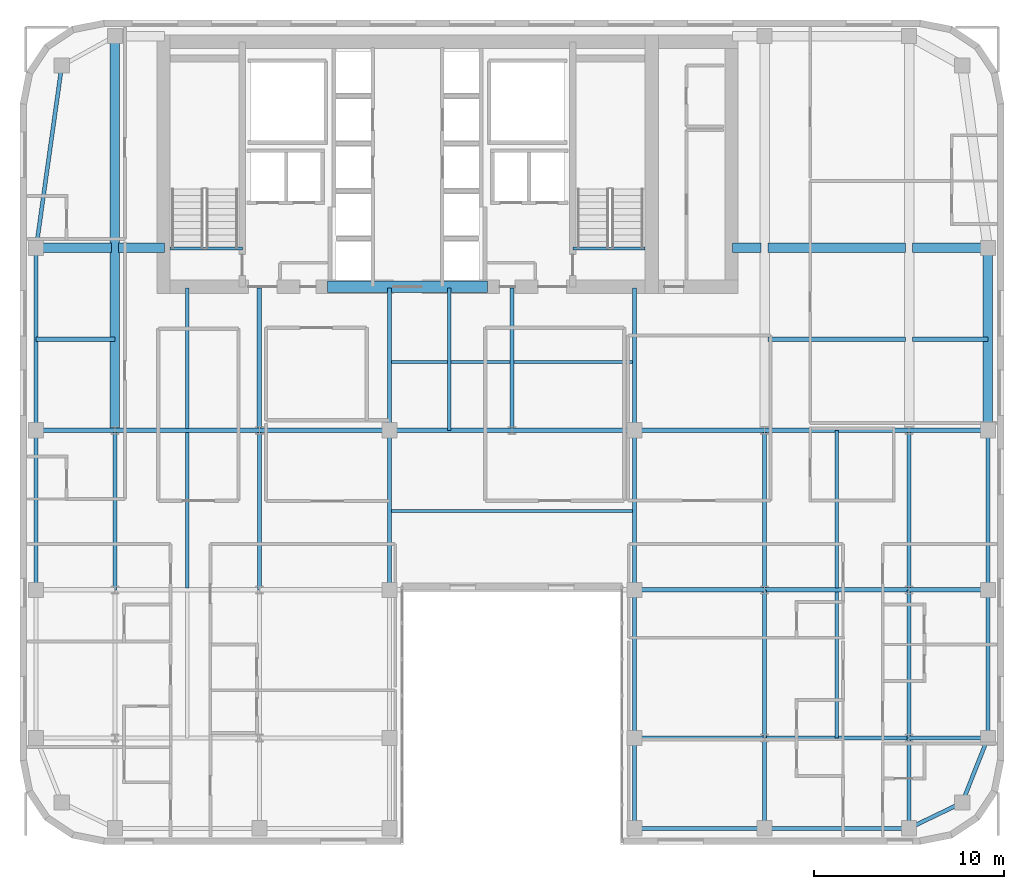
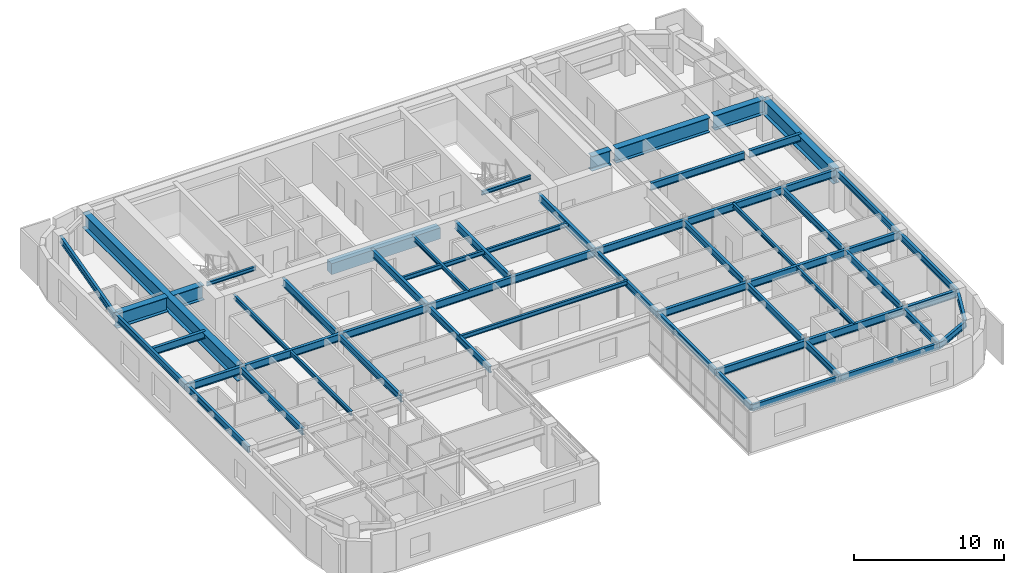
# One storey, part 5 of 14: 59 beams.
"""IFC4 building model written with IfcOpenShell, lengths in metres."""

from ifc_helpers import new_model, si_unit, direction, frame, origin, origin_2d, place, context, subcontext, project, spatial, rectangle, i_section, extrude, source, transform, mapped, material, material_profile, profile_set, type_object, type_shapes, element, save


model = new_model("IFC4")

# Units and contexts
model_context = context("Model", 3, precision=1e-05, world=origin(), true_north=direction((0.0, 1.0)))
body_context = subcontext(model_context, "Body", "Model", "MODEL_VIEW")
ifc_project = project(units=[si_unit("LENGTHUNIT", "METRE"), si_unit("AREAUNIT", "SQUARE_METRE"), si_unit("VOLUMEUNIT", "CUBIC_METRE"), si_unit("PLANEANGLEUNIT", "RADIAN"), si_unit("MASSUNIT", "GRAM", prefix="KILO")], contexts=[model_context])

# Site, building, storey
site_placement = place(None, origin())
site = spatial("IfcSite", under=ifc_project, at=site_placement, CompositionType="ELEMENT")
building_placement = place(site_placement, origin())
building = spatial("IfcBuilding", under=site, at=building_placement, Name="Tolvann Quenvar Hotel", CompositionType="ELEMENT")
storey_placement = place(building_placement, frame((0.0, 0.0, 179.0)))
storey = spatial("IfcBuildingStorey", under=building, at=storey_placement, Name="L47", CompositionType="ELEMENT", Elevation=179.0)

# Beams
ifc_material_1 = material(Name="Concrete N50 (50 MPa)", Category="concrete")
ifc_material_profile_1 = material_profile(ifc_material_1, rectangle(XDim=0.60009765625, YDim=0.89990234375, at=origin_2d()), Name="RC600x900")
ifc_profile_set_1 = profile_set([ifc_material_profile_1], Name="Concrete N50 (50 MPa)")
beam_type_1 = type_object("IfcBeamType", Name="BM_LINT_RC600x900", PredefinedType="LINTEL", material=ifc_profile_set_1)
shared_shape_1 = source(origin(), body_context, "Body", "SweptSolid", [
    extrude(rectangle(XDim=0.60009765625, YDim=0.89990234375, at=origin_2d()), origin(), (0.0, 0.0, 1.0), 8.39990234375),
])
type_shapes(beam_type_1, [shared_shape_1])
beam_1_placement = place(storey_placement, frame((18.800048828125, 31.949951171875, 2.800048828125), z_axis=(1.0, 0.0, 0.0), x_axis=(0.0, 1.0, 0.0)))
element("IfcBeam", 1, at=beam_1_placement, inside=storey, type_object=beam_type_1, Name="Core Coupling Lintel Beam (L47)", PredefinedType="LINTEL", context=body_context, shape_type="MappedRepresentation", body=[
    mapped(shared_shape_1, transform((0.0, 0.0, 0.0), x_axis=(1.0, 0.0, 0.0), y_axis=(0.0, 1.0, 0.0), z_axis=(0.0, 0.0, 1.0), scale=1.0)),
])
ifc_material_2 = material(Name="Steel Grade 350", Category="steel")
ifc_material_profile_2 = material_profile(ifc_material_2, i_section(OverallWidth=0.5, OverallDepth=1.199951171875, WebThickness=0.01611328125, FlangeThickness=0.0400390625, at=origin_2d()), Name="1200WB455")
ifc_profile_set_2 = profile_set([ifc_material_profile_2], Name="Steel Grade 350")
beam_type_2 = type_object("IfcBeamType", Name="BM_TG_1200WB455", PredefinedType="USERDEFINED", material=ifc_profile_set_2)
shared_shape_2 = source(origin(), body_context, "Body", "SweptSolid", [
    extrude(i_section(OverallWidth=0.5, OverallDepth=1.199951171875, WebThickness=0.01611328125, FlangeThickness=0.0400390625, at=origin_2d()), origin(), (0.0, 0.0, 1.0), 9.60009765625),
])
beam_2_placement = place(storey_placement, frame((53.550048828125, 24.39990234375, 2.64990234375), z_axis=(0.0, 1.0, 0.0), x_axis=(-1.0, 0.0, 0.0)))
element("IfcBeam", 2, at=beam_2_placement, inside=storey, type_object=beam_type_2, Name="BM-L47-FLK-E1", ObjectType="TRANSFER GIRDER", PredefinedType="USERDEFINED", context=body_context, shape_type="MappedRepresentation", body=[
    mapped(shared_shape_2, transform((0.0, 0.0, 0.0), x_axis=(1.0, 0.0, 0.0), y_axis=(0.0, 1.0, 0.0), z_axis=(0.0, 0.0, 1.0), scale=1.0)),
])
ifc_material_profile_3 = material_profile(ifc_material_2, i_section(OverallWidth=0.208984375, OverallDepth=0.528076171875, WebThickness=0.009521484375, FlangeThickness=0.01318359375, FilletRadius=0.013916015625, at=origin_2d()), Name="530UB82")
ifc_profile_set_3 = profile_set([ifc_material_profile_3], Name="Steel Grade 350")
beam_type_3 = type_object("IfcBeamType", Name="BM_SPAND_530UB82", PredefinedType="SPANDREL", material=ifc_profile_set_3)
shared_shape_3 = source(origin(), body_context, "Body", "SweptSolid", [
    extrude(i_section(OverallWidth=0.208984375, OverallDepth=0.528076171875, WebThickness=0.009521484375, FlangeThickness=0.01318359375, FilletRadius=0.013916015625, at=origin_2d()), origin(), (0.0, 0.0, 1.0), 7.599853515625),
])
beam_3_placement = place(storey_placement, frame((41.800048828125, 3.449951171875, 2.986083984375), z_axis=(1.0, 0.0, 0.0), x_axis=(0.0, 1.0, 0.0)))
element("IfcBeam", 3, at=beam_3_placement, inside=storey, type_object=beam_type_3, Name="BM-L47-EW-2-H2-I2", PredefinedType="SPANDREL", context=body_context, shape_type="MappedRepresentation", body=[
    mapped(shared_shape_3, transform((0.0, 0.0, 0.0), x_axis=(1.0, 0.0, 0.0), y_axis=(0.0, 1.0, 0.0), z_axis=(0.0, 0.0, 1.0), scale=1.0)),
])
shared_shape_4 = source(origin(), body_context, "Body", "SweptSolid", [
    extrude(i_section(OverallWidth=0.208984375, OverallDepth=0.528076171875, WebThickness=0.009521484375, FlangeThickness=0.01318359375, FilletRadius=0.013916015625, at=origin_2d()), origin(), (0.0, 0.0, 1.0), 6.85009765625),
])
beam_4_placement = place(storey_placement, frame((34.949951171875, 3.449951171875, 2.986083984375), z_axis=(1.0, 0.0, 0.0), x_axis=(0.0, 1.0, 0.0)))
element("IfcBeam", 4, at=beam_4_placement, inside=storey, type_object=beam_type_3, Name="BM-L47-EW-2-F2-H2", PredefinedType="SPANDREL", context=body_context, shape_type="MappedRepresentation", body=[
    mapped(shared_shape_4, transform((0.0, 0.0, 0.0), x_axis=(1.0, 0.0, 0.0), y_axis=(0.0, 1.0, 0.0), z_axis=(0.0, 0.0, 1.0), scale=1.0)),
])
shared_shape_5 = source(origin(), body_context, "Body", "SweptSolid", [
    extrude(i_section(OverallWidth=0.208984375, OverallDepth=0.528076171875, WebThickness=0.009521484375, FlangeThickness=0.01318359375, FilletRadius=0.013916015625, at=origin_2d()), origin(), (0.0, 0.0, 1.0), 7.800048828125),
])
beam_5_placement = place(storey_placement, frame((53.550048828125, 8.199951171875, 2.986083984375), z_axis=(0.0, 1.0, 0.0), x_axis=(-1.0, 0.0, 0.0)))
element("IfcBeam", 5, at=beam_5_placement, inside=storey, type_object=beam_type_3, Name="BM-L47-NS-J3-J4", PredefinedType="SPANDREL", context=body_context, shape_type="MappedRepresentation", body=[
    mapped(shared_shape_5, transform((0.0, 0.0, 0.0), x_axis=(1.0, 0.0, 0.0), y_axis=(0.0, 1.0, 0.0), z_axis=(0.0, 0.0, 1.0), scale=1.0)),
])
shared_shape_6 = source(origin(), body_context, "Body", "SweptSolid", [
    extrude(i_section(OverallWidth=0.208984375, OverallDepth=0.528076171875, WebThickness=0.009521484375, FlangeThickness=0.01318359375, FilletRadius=0.013916015625, at=origin_2d()), origin(), (0.0, 0.0, 1.0), 8.39990234375),
])
for number, where, z_axis, x_axis, name in (
    (6, (3.449951171875, 16.0, 2.986083984375), (0.0, 1.0, 0.0), (-1.0, 0.0, 0.0), "BM-L47-NS-B4-B5"),
    (7, (53.550048828125, 16.0, 2.986083984375), (0.0, 1.0, 0.0), (-1.0, 0.0, 0.0), "BM-L47-NS-J4-J5"),
):
    element("IfcBeam", number, at=place(storey_placement, frame(where, z_axis=z_axis, x_axis=x_axis)), inside=storey, type_object=beam_type_3, Name=name, PredefinedType="SPANDREL", context=body_context, shape_type="MappedRepresentation", body=[
        mapped(shared_shape_6, transform((0.0, 0.0, 0.0), x_axis=(1.0, 0.0, 0.0), y_axis=(0.0, 1.0, 0.0), z_axis=(0.0, 0.0, 1.0), scale=1.0)),
    ])
ifc_material_profile_4 = material_profile(ifc_material_2, i_section(OverallWidth=0.208984375, OverallDepth=0.532958984375, WebThickness=0.01025390625, FlangeThickness=0.015625, FilletRadius=0.013916015625, at=origin_2d()), Name="530UB92")
ifc_profile_set_4 = profile_set([ifc_material_profile_4], Name="Steel Grade 350")
beam_type_4 = type_object("IfcBeamType", Name="BM_GIRD_530UB92", PredefinedType="BEAM", material=ifc_profile_set_4)
shared_shape_7 = source(origin(), body_context, "Body", "SweptSolid", [
    extrude(i_section(OverallWidth=0.208984375, OverallDepth=0.532958984375, WebThickness=0.01025390625, FlangeThickness=0.015625, FilletRadius=0.013916015625, at=origin_2d()), origin(), (0.0, 0.0, 1.0), 7.800048828125),
])
for number, where, z_axis, x_axis, name in (
    (8, (34.949951171875, 8.199951171875, 2.9833984375), (0.0, 1.0, 0.0), (-1.0, 0.0, 0.0), "BM-L47-NS-F3-F4"),
    (9, (41.800048828125, 8.199951171875, 2.9833984375), (0.0, 1.0, 0.0), (-1.0, 0.0, 0.0), "BM-L47-NS-H3-H4"),
    (10, (49.39990234375, 8.199951171875, 2.9833984375), (0.0, 1.0, 0.0), (-1.0, 0.0, 0.0), "BM-L47-NS-I3-I4"),
):
    element("IfcBeam", number, at=place(storey_placement, frame(where, z_axis=z_axis, x_axis=x_axis)), inside=storey, type_object=beam_type_4, Name=name, PredefinedType="BEAM", context=body_context, shape_type="MappedRepresentation", body=[
        mapped(shared_shape_7, transform((0.0, 0.0, 0.0), x_axis=(1.0, 0.0, 0.0), y_axis=(0.0, 1.0, 0.0), z_axis=(0.0, 0.0, 1.0), scale=1.0)),
    ])
shared_shape_8 = source(origin(), body_context, "Body", "SweptSolid", [
    extrude(i_section(OverallWidth=0.208984375, OverallDepth=0.532958984375, WebThickness=0.01025390625, FlangeThickness=0.015625, FilletRadius=0.013916015625, at=origin_2d()), origin(), (0.0, 0.0, 1.0), 8.39990234375),
])
for number, where, z_axis, x_axis, name in (
    (11, (7.60009765625, 16.0, 2.9833984375), (0.0, 1.0, 0.0), (-1.0, 0.0, 0.0), "BM-L47-NS-C4-C5"),
    (12, (15.199951171875, 16.0, 2.9833984375), (0.0, 1.0, 0.0), (-1.0, 0.0, 0.0), "BM-L47-NS-D4-D5"),
    (13, (22.050048828125, 16.0, 2.9833984375), (0.0, 1.0, 0.0), (-1.0, 0.0, 0.0), "BM-L47-NS-E4-E5"),
    (14, (34.949951171875, 16.0, 2.9833984375), (0.0, 1.0, 0.0), (-1.0, 0.0, 0.0), "BM-L47-NS-F4-F5"),
    (15, (41.800048828125, 16.0, 2.9833984375), (0.0, 1.0, 0.0), (-1.0, 0.0, 0.0), "BM-L47-NS-H4-H5"),
    (16, (49.39990234375, 16.0, 2.9833984375), (0.0, 1.0, 0.0), (-1.0, 0.0, 0.0), "BM-L47-NS-I4-I5"),
):
    element("IfcBeam", number, at=place(storey_placement, frame(where, z_axis=z_axis, x_axis=x_axis)), inside=storey, type_object=beam_type_4, Name=name, PredefinedType="BEAM", context=body_context, shape_type="MappedRepresentation", body=[
        mapped(shared_shape_8, transform((0.0, 0.0, 0.0), x_axis=(1.0, 0.0, 0.0), y_axis=(0.0, 1.0, 0.0), z_axis=(0.0, 0.0, 1.0), scale=1.0)),
    ])
shared_shape_9 = source(origin(), body_context, "Body", "SweptSolid", [
    extrude(i_section(OverallWidth=0.208984375, OverallDepth=0.528076171875, WebThickness=0.009521484375, FlangeThickness=0.01318359375, FilletRadius=0.013916015625, at=origin_2d()), origin(), (0.0, 0.0, 1.0), 9.60009765625),
])
beam_6_placement = place(storey_placement, frame((3.449951171875, 24.39990234375, 2.986083984375), z_axis=(0.0, 1.0, 0.0), x_axis=(-1.0, 0.0, 0.0)))
element("IfcBeam", 17, at=beam_6_placement, inside=storey, type_object=beam_type_3, Name="BM-L47-FLK-W1", PredefinedType="SPANDREL", context=body_context, shape_type="MappedRepresentation", body=[
    mapped(shared_shape_9, transform((0.0, 0.0, 0.0), x_axis=(1.0, 0.0, 0.0), y_axis=(0.0, 1.0, 0.0), z_axis=(0.0, 0.0, 1.0), scale=1.0)),
])
shared_shape_10 = source(origin(), body_context, "Body", "SweptSolid", [
    extrude(i_section(OverallWidth=0.5, OverallDepth=1.199951171875, WebThickness=0.01611328125, FlangeThickness=0.0400390625, at=origin_2d()), origin(), (0.0, 0.0, 1.0), 20.75),
])
beam_7_placement = place(storey_placement, frame((7.60009765625, 24.39990234375, 2.64990234375), z_axis=(0.0, 1.0, 0.0), x_axis=(-1.0, 0.0, 0.0)))
element("IfcBeam", 18, at=beam_7_placement, inside=storey, type_object=beam_type_2, Name="BM-L47-FLK-WC", ObjectType="TRANSFER GIRDER", PredefinedType="USERDEFINED", context=body_context, shape_type="MappedRepresentation", body=[
    mapped(shared_shape_10, transform((0.0, 0.0, 0.0), x_axis=(1.0, 0.0, 0.0), y_axis=(0.0, 1.0, 0.0), z_axis=(0.0, 0.0, 1.0), scale=1.0)),
])
shared_shape_11 = source(origin(), body_context, "Body", "SweptSolid", [
    extrude(i_section(OverallWidth=0.5, OverallDepth=1.199951171875, WebThickness=0.01611328125, FlangeThickness=0.0400390625, at=origin_2d()), origin(), (0.0, 0.0, 1.0), 2.419921875),
])
beam_8_placement = place(storey_placement, frame((7.780029296875, 34.0, 2.64990234375), z_axis=(1.0, 0.0, 0.0), x_axis=(0.0, 1.0, 0.0)))
element("IfcBeam", 19, at=beam_8_placement, inside=storey, type_object=beam_type_2, Name="BM-L47-CTW-MID2", ObjectType="TRANSFER GIRDER", PredefinedType="USERDEFINED", context=body_context, shape_type="MappedRepresentation", body=[
    mapped(shared_shape_11, transform((0.0, 0.0, 0.0), x_axis=(1.0, 0.0, 0.0), y_axis=(0.0, 1.0, 0.0), z_axis=(0.0, 0.0, 1.0), scale=1.0)),
])
shared_shape_12 = source(origin(), body_context, "Body", "SweptSolid", [
    extrude(i_section(OverallWidth=0.5, OverallDepth=1.199951171875, WebThickness=0.01611328125, FlangeThickness=0.0400390625, at=origin_2d()), origin(), (0.0, 0.0, 1.0), 1.52001953125),
])
beam_9_placement = place(storey_placement, frame((40.10009765625, 34.0, 2.64990234375), z_axis=(1.0, 0.0, 0.0), x_axis=(0.0, 1.0, 0.0)))
element("IfcBeam", 20, at=beam_9_placement, inside=storey, type_object=beam_type_2, Name="BM-L47-CTE-JD6A", ObjectType="TRANSFER GIRDER", PredefinedType="USERDEFINED", context=body_context, shape_type="MappedRepresentation", body=[
    mapped(shared_shape_12, transform((0.0, 0.0, 0.0), x_axis=(1.0, 0.0, 0.0), y_axis=(0.0, 1.0, 0.0), z_axis=(0.0, 0.0, 1.0), scale=1.0)),
])
shared_shape_13 = source(origin(), body_context, "Body", "SweptSolid", [
    extrude(i_section(OverallWidth=0.5, OverallDepth=1.199951171875, WebThickness=0.01611328125, FlangeThickness=0.0400390625, at=origin_2d()), origin(), (0.0, 0.0, 1.0), 7.239990234375),
])
beam_10_placement = place(storey_placement, frame((41.97998046875, 34.0, 2.64990234375), z_axis=(1.0, 0.0, 0.0), x_axis=(0.0, 1.0, 0.0)))
element("IfcBeam", 21, at=beam_10_placement, inside=storey, type_object=beam_type_2, Name="BM-L47-CTE-JD6B", ObjectType="TRANSFER GIRDER", PredefinedType="USERDEFINED", context=body_context, shape_type="MappedRepresentation", body=[
    mapped(shared_shape_13, transform((0.0, 0.0, 0.0), x_axis=(1.0, 0.0, 0.0), y_axis=(0.0, 1.0, 0.0), z_axis=(0.0, 0.0, 1.0), scale=1.0)),
])
ifc_material_profile_5 = material_profile(ifc_material_2, i_section(OverallWidth=0.166015625, OverallDepth=0.306884765625, WebThickness=0.006591796875, FlangeThickness=0.01171875, FilletRadius=0.011474609375, at=origin_2d()), Name="310UB46")
ifc_profile_set_5 = profile_set([ifc_material_profile_5], Name="Steel Grade 350")
beam_type_5 = type_object("IfcBeamType", Name="BM_JOIST_310UB46", PredefinedType="JOIST", material=ifc_profile_set_5)
shared_shape_14 = source(origin(), body_context, "Body", "SweptSolid", [
    extrude(i_section(OverallWidth=0.166015625, OverallDepth=0.306884765625, WebThickness=0.006591796875, FlangeThickness=0.01171875, FilletRadius=0.011474609375, at=origin_2d()), origin(), (0.0, 0.0, 1.0), 3.800048828125),
])
type_shapes(beam_type_5, [shared_shape_14])
for number, where, z_axis, x_axis, name in (
    (22, (10.5, 33.97998046875, 3.096435546875), (1.0, 0.0, 0.0), (0.0, 1.0, 0.0), "BM-HDR-STC1-L48"),
    (23, (31.699951171875, 33.97998046875, 3.096435546875), (1.0, 0.0, 0.0), (0.0, 1.0, 0.0), "BM-HDR-STC2-L48"),
):
    element("IfcBeam", number, at=place(storey_placement, frame(where, z_axis=z_axis, x_axis=x_axis)), inside=storey, type_object=beam_type_5, Name=name, PredefinedType="JOIST", context=body_context, shape_type="MappedRepresentation", body=[
        mapped(shared_shape_14, transform((0.0, 0.0, 0.0), x_axis=(1.0, 0.0, 0.0), y_axis=(0.0, 1.0, 0.0), z_axis=(0.0, 0.0, 1.0), scale=1.0)),
    ])
shared_shape_15 = source(origin(), body_context, "Body", "SweptSolid", [
    extrude(i_section(OverallWidth=0.208984375, OverallDepth=0.528076171875, WebThickness=0.009521484375, FlangeThickness=0.01318359375, FilletRadius=0.013916015625, at=origin_2d()), origin(), (0.0, 0.0, 1.0), 9.694580078125),
])
beam_11_placement = place(storey_placement, frame((3.449951171875, 34.0, 2.986083984375), z_axis=(0.139263320262, 0.990255385055, 0.0), x_axis=(-0.990255385055, 0.139263320262, 0.0)))
element("IfcBeam", 24, at=beam_11_placement, inside=storey, type_object=beam_type_3, Name="BM-L47-FLK-W2", PredefinedType="SPANDREL", context=body_context, shape_type="MappedRepresentation", body=[
    mapped(shared_shape_15, transform((0.0, 0.0, 0.0), x_axis=(1.0, 0.0, 0.0), y_axis=(0.0, 1.0, 0.0), z_axis=(0.0, 0.0, 1.0), scale=1.0)),
])
shared_shape_16 = source(origin(), body_context, "Body", "SweptSolid", [
    extrude(i_section(OverallWidth=0.5, OverallDepth=1.199951171875, WebThickness=0.01611328125, FlangeThickness=0.0400390625, at=origin_2d()), origin(), (0.0, 0.0, 1.0), 3.969970703125),
])
type_shapes(beam_type_2, [shared_shape_2, shared_shape_10, shared_shape_11, shared_shape_12, shared_shape_13, shared_shape_16])
for number, where, z_axis, x_axis, name in (
    (25, (3.449951171875, 34.0, 2.64990234375), (1.0, 0.0, 0.0), (0.0, 1.0, 0.0), "BM-L47-CTW-MID1"),
    (26, (49.580078125, 34.0, 2.64990234375), (1.0, 0.0, 0.0), (0.0, 1.0, 0.0), "BM-L47-CTE-JD6C"),
):
    element("IfcBeam", number, at=place(storey_placement, frame(where, z_axis=z_axis, x_axis=x_axis)), inside=storey, type_object=beam_type_2, Name=name, ObjectType="TRANSFER GIRDER", PredefinedType="USERDEFINED", context=body_context, shape_type="MappedRepresentation", body=[
        mapped(shared_shape_16, transform((0.0, 0.0, 0.0), x_axis=(1.0, 0.0, 0.0), y_axis=(0.0, 1.0, 0.0), z_axis=(0.0, 0.0, 1.0), scale=1.0)),
    ])
ifc_material_profile_6 = material_profile(ifc_material_2, i_section(OverallWidth=0.172119140625, OverallDepth=0.35888671875, WebThickness=0.008056640625, FlangeThickness=0.012939453125, FilletRadius=0.011474609375, at=origin_2d()), Name="360UB57")
ifc_profile_set_6 = profile_set([ifc_material_profile_6], Name="Steel Grade 350")
beam_type_6 = type_object("IfcBeamType", Name="BM_JOIST_360UB57", PredefinedType="JOIST", material=ifc_profile_set_6)
shared_shape_17 = source(origin(), body_context, "Body", "SweptSolid", [
    extrude(i_section(OverallWidth=0.172119140625, OverallDepth=0.35888671875, WebThickness=0.008056640625, FlangeThickness=0.012939453125, FilletRadius=0.011474609375, at=origin_2d()), origin(), (0.0, 0.0, 1.0), 12.89990234375),
])
for number, where, z_axis, x_axis, name in (
    (27, (22.050048828125, 20.14990234375, 3.070556640625), (1.0, 0.0, 0.0), (0.0, 1.0, 0.0), "BM-L47-SPINE-20"),
    (28, (22.050048828125, 28.0, 3.070556640625), (1.0, 0.0, 0.0), (0.0, 1.0, 0.0), "BM-L47-SPINE-28"),
):
    element("IfcBeam", number, at=place(storey_placement, frame(where, z_axis=z_axis, x_axis=x_axis)), inside=storey, type_object=beam_type_6, Name=name, PredefinedType="JOIST", context=body_context, shape_type="MappedRepresentation", body=[
        mapped(shared_shape_17, transform((0.0, 0.0, 0.0), x_axis=(1.0, 0.0, 0.0), y_axis=(0.0, 1.0, 0.0), z_axis=(0.0, 0.0, 1.0), scale=1.0)),
    ])
shared_shape_18 = source(origin(), body_context, "Body", "SweptSolid", [
    extrude(i_section(OverallWidth=0.172119140625, OverallDepth=0.35888671875, WebThickness=0.008056640625, FlangeThickness=0.012939453125, FilletRadius=0.011474609375, at=origin_2d()), origin(), (0.0, 0.0, 1.0), 7.5),
])
beam_12_placement = place(storey_placement, frame((25.199951171875, 24.39990234375, 3.070556640625), z_axis=(0.0, 1.0, 0.0), x_axis=(-1.0, 0.0, 0.0)))
element("IfcBeam", 29, at=beam_12_placement, inside=storey, type_object=beam_type_6, Name="BJ-L47-252-244", PredefinedType="JOIST", context=body_context, shape_type="MappedRepresentation", body=[
    mapped(shared_shape_18, transform((0.0, 0.0, 0.0), x_axis=(1.0, 0.0, 0.0), y_axis=(0.0, 1.0, 0.0), z_axis=(0.0, 0.0, 1.0), scale=1.0)),
])
shared_shape_19 = source(origin(), body_context, "Body", "SweptSolid", [
    extrude(i_section(OverallWidth=0.208984375, OverallDepth=0.528076171875, WebThickness=0.009521484375, FlangeThickness=0.01318359375, FilletRadius=0.013916015625, at=origin_2d()), origin(), (0.0, 0.0, 1.0), 3.108642578125),
])
beam_13_placement = place(storey_placement, frame((49.39990234375, 3.449951171875, 2.986083984375), z_axis=(0.900759354066, 0.434318530646, 0.0), x_axis=(-0.434318530646, 0.900759354066, 0.0)))
element("IfcBeam", 30, at=beam_13_placement, inside=storey, type_object=beam_type_3, Name="BM-L47-EW-2-I2-J2", PredefinedType="SPANDREL", context=body_context, shape_type="MappedRepresentation", body=[
    mapped(shared_shape_19, transform((0.0, 0.0, 0.0), x_axis=(1.0, 0.0, 0.0), y_axis=(0.0, 1.0, 0.0), z_axis=(0.0, 0.0, 1.0), scale=1.0)),
])
ifc_material_profile_7 = material_profile(ifc_material_2, i_section(OverallWidth=0.22802734375, OverallDepth=0.60205078125, WebThickness=0.010498046875, FlangeThickness=0.014892578125, FilletRadius=0.013916015625, at=origin_2d()), Name="610UB101")
ifc_profile_set_7 = profile_set([ifc_material_profile_7], Name="Steel Grade 350")
beam_type_7 = type_object("IfcBeamType", Name="BM_GIRD_610UB101", PredefinedType="BEAM", material=ifc_profile_set_7)
shared_shape_20 = source(origin(), body_context, "Body", "SweptSolid", [
    extrude(i_section(OverallWidth=0.22802734375, OverallDepth=0.60205078125, WebThickness=0.010498046875, FlangeThickness=0.014892578125, FilletRadius=0.013916015625, at=origin_2d()), origin(), (0.0, 0.0, 1.0), 4.150146484375),
])
for number, where, z_axis, x_axis, name in (
    (31, (49.39990234375, 8.199951171875, 2.948974609375), (1.0, 0.0, 0.0), (0.0, 1.0, 0.0), "BM-L47-EW-3-I3-J3"),
    (32, (49.39990234375, 16.0, 2.948974609375), (1.0, 0.0, 0.0), (0.0, 1.0, 0.0), "BM-L47-EW-4-I4-J4"),
    (33, (3.449951171875, 24.39990234375, 2.948974609375), (1.0, 0.0, 0.0), (0.0, 1.0, 0.0), "BM-L47-EW-5-B5-C5"),
    (34, (49.39990234375, 24.39990234375, 2.948974609375), (1.0, 0.0, 0.0), (0.0, 1.0, 0.0), "BM-L47-EW-5-I5-J5"),
    (35, (3.449951171875, 29.199951171875, 2.948974609375), (1.0, 0.0, 0.0), (0.0, 1.0, 0.0), "BM-L47-EW-BC29"),
):
    element("IfcBeam", number, at=place(storey_placement, frame(where, z_axis=z_axis, x_axis=x_axis)), inside=storey, type_object=beam_type_7, Name=name, PredefinedType="BEAM", context=body_context, shape_type="MappedRepresentation", body=[
        mapped(shared_shape_20, transform((0.0, 0.0, 0.0), x_axis=(1.0, 0.0, 0.0), y_axis=(0.0, 1.0, 0.0), z_axis=(0.0, 0.0, 1.0), scale=1.0)),
    ])
shared_shape_21 = source(origin(), body_context, "Body", "SweptSolid", [
    extrude(i_section(OverallWidth=0.22802734375, OverallDepth=0.60205078125, WebThickness=0.010498046875, FlangeThickness=0.014892578125, FilletRadius=0.013916015625, at=origin_2d()), origin(), (0.0, 0.0, 1.0), 7.599853515625),
])
for number, where, z_axis, x_axis, name in (
    (36, (41.800048828125, 8.199951171875, 2.948974609375), (1.0, 0.0, 0.0), (0.0, 1.0, 0.0), "BM-L47-EW-3-H3-I3"),
    (37, (41.800048828125, 16.0, 2.948974609375), (1.0, 0.0, 0.0), (0.0, 1.0, 0.0), "BM-L47-EW-4-H4-I4"),
    (38, (7.60009765625, 24.39990234375, 2.948974609375), (1.0, 0.0, 0.0), (0.0, 1.0, 0.0), "BM-L47-EW-5-C5-D5"),
    (39, (41.800048828125, 24.39990234375, 2.948974609375), (1.0, 0.0, 0.0), (0.0, 1.0, 0.0), "BM-L47-EW-5-H5-I5"),
):
    element("IfcBeam", number, at=place(storey_placement, frame(where, z_axis=z_axis, x_axis=x_axis)), inside=storey, type_object=beam_type_7, Name=name, PredefinedType="BEAM", context=body_context, shape_type="MappedRepresentation", body=[
        mapped(shared_shape_21, transform((0.0, 0.0, 0.0), x_axis=(1.0, 0.0, 0.0), y_axis=(0.0, 1.0, 0.0), z_axis=(0.0, 0.0, 1.0), scale=1.0)),
    ])
shared_shape_22 = source(origin(), body_context, "Body", "SweptSolid", [
    extrude(i_section(OverallWidth=0.22802734375, OverallDepth=0.60205078125, WebThickness=0.010498046875, FlangeThickness=0.014892578125, FilletRadius=0.013916015625, at=origin_2d()), origin(), (0.0, 0.0, 1.0), 6.85009765625),
])
for number, where, z_axis, x_axis, name in (
    (40, (34.949951171875, 8.199951171875, 2.948974609375), (1.0, 0.0, 0.0), (0.0, 1.0, 0.0), "BM-L47-EW-3-F3-H3"),
    (41, (34.949951171875, 16.0, 2.948974609375), (1.0, 0.0, 0.0), (0.0, 1.0, 0.0), "BM-L47-EW-4-F4-H4"),
    (42, (15.199951171875, 24.39990234375, 2.948974609375), (1.0, 0.0, 0.0), (0.0, 1.0, 0.0), "BM-L47-EW-5-D5-E5"),
    (43, (34.949951171875, 24.39990234375, 2.948974609375), (1.0, 0.0, 0.0), (0.0, 1.0, 0.0), "BM-L47-EW-5-F5-H5"),
):
    element("IfcBeam", number, at=place(storey_placement, frame(where, z_axis=z_axis, x_axis=x_axis)), inside=storey, type_object=beam_type_7, Name=name, PredefinedType="BEAM", context=body_context, shape_type="MappedRepresentation", body=[
        mapped(shared_shape_22, transform((0.0, 0.0, 0.0), x_axis=(1.0, 0.0, 0.0), y_axis=(0.0, 1.0, 0.0), z_axis=(0.0, 0.0, 1.0), scale=1.0)),
    ])
shared_shape_23 = source(origin(), body_context, "Body", "SweptSolid", [
    extrude(i_section(OverallWidth=0.22802734375, OverallDepth=0.60205078125, WebThickness=0.010498046875, FlangeThickness=0.014892578125, FilletRadius=0.013916015625, at=origin_2d()), origin(), (0.0, 0.0, 1.0), 6.449951171875),
])
for number, where, z_axis, x_axis, name in (
    (44, (22.050048828125, 24.39990234375, 2.948974609375), (1.0, 0.0, 0.0), (0.0, 1.0, 0.0), "BM-L47-EW-5-E5-M5"),
    (45, (28.5, 24.39990234375, 2.948974609375), (1.0, 0.0, 0.0), (0.0, 1.0, 0.0), "BM-L47-EW-5-M5-F5"),
):
    element("IfcBeam", number, at=place(storey_placement, frame(where, z_axis=z_axis, x_axis=x_axis)), inside=storey, type_object=beam_type_7, Name=name, PredefinedType="BEAM", context=body_context, shape_type="MappedRepresentation", body=[
        mapped(shared_shape_23, transform((0.0, 0.0, 0.0), x_axis=(1.0, 0.0, 0.0), y_axis=(0.0, 1.0, 0.0), z_axis=(0.0, 0.0, 1.0), scale=1.0)),
    ])
shared_shape_24 = source(origin(), body_context, "Body", "SweptSolid", [
    extrude(i_section(OverallWidth=0.208984375, OverallDepth=0.528076171875, WebThickness=0.009521484375, FlangeThickness=0.01318359375, FilletRadius=0.013916015625, at=origin_2d()), origin(), (0.0, 0.0, 1.0), 3.658203125),
])
type_shapes(beam_type_3, [shared_shape_3, shared_shape_4, shared_shape_5, shared_shape_6, shared_shape_9, shared_shape_15, shared_shape_19, shared_shape_24])
beam_14_placement = place(storey_placement, frame((52.199951171875, 4.800048828125, 2.986083984375), z_axis=(0.369065163807, 0.929403521009, 0.0), x_axis=(-0.929403521009, 0.369065163807, 0.0)))
element("IfcBeam", 46, at=beam_14_placement, inside=storey, type_object=beam_type_3, Name="BM-L47-NS-J2-J3", PredefinedType="SPANDREL", context=body_context, shape_type="MappedRepresentation", body=[
    mapped(shared_shape_24, transform((0.0, 0.0, 0.0), x_axis=(1.0, 0.0, 0.0), y_axis=(0.0, 1.0, 0.0), z_axis=(0.0, 0.0, 1.0), scale=1.0)),
])
shared_shape_25 = source(origin(), body_context, "Body", "SweptSolid", [
    extrude(i_section(OverallWidth=0.208984375, OverallDepth=0.532958984375, WebThickness=0.01025390625, FlangeThickness=0.015625, FilletRadius=0.013916015625, at=origin_2d()), origin(), (0.0, 0.0, 1.0), 4.75),
])
type_shapes(beam_type_4, [shared_shape_7, shared_shape_8, shared_shape_25])
for number, where, z_axis, x_axis, name in (
    (47, (34.949951171875, 3.449951171875, 2.9833984375), (0.0, 1.0, 0.0), (-1.0, 0.0, 0.0), "BM-L47-NS-F2-F3"),
    (48, (41.800048828125, 3.449951171875, 2.9833984375), (0.0, 1.0, 0.0), (-1.0, 0.0, 0.0), "BM-L47-NS-H2-H3"),
    (49, (49.39990234375, 3.449951171875, 2.9833984375), (0.0, 1.0, 0.0), (-1.0, 0.0, 0.0), "BM-L47-NS-I2-I3"),
):
    element("IfcBeam", number, at=place(storey_placement, frame(where, z_axis=z_axis, x_axis=x_axis)), inside=storey, type_object=beam_type_4, Name=name, PredefinedType="BEAM", context=body_context, shape_type="MappedRepresentation", body=[
        mapped(shared_shape_25, transform((0.0, 0.0, 0.0), x_axis=(1.0, 0.0, 0.0), y_axis=(0.0, 1.0, 0.0), z_axis=(0.0, 0.0, 1.0), scale=1.0)),
    ])
shared_shape_26 = source(origin(), body_context, "Body", "SweptSolid", [
    extrude(i_section(OverallWidth=0.22802734375, OverallDepth=0.60205078125, WebThickness=0.010498046875, FlangeThickness=0.014892578125, FilletRadius=0.013916015625, at=origin_2d()), origin(), (0.0, 0.0, 1.0), 7.5),
])
for number, where, z_axis, x_axis, name in (
    (50, (15.199951171875, 24.39990234375, 2.948974609375), (0.0, 1.0, 0.0), (-1.0, 0.0, 0.0), "BM-L47-CORE-D5"),
    (51, (22.050048828125, 24.39990234375, 2.948974609375), (0.0, 1.0, 0.0), (-1.0, 0.0, 0.0), "BM-L47-CORE-E5"),
    (52, (34.949951171875, 24.39990234375, 2.948974609375), (0.0, 1.0, 0.0), (-1.0, 0.0, 0.0), "BM-L47-CORE-F5"),
    (53, (28.5, 24.39990234375, 2.948974609375), (0.0, 1.0, 0.0), (-1.0, 0.0, 0.0), "BM-L47-CORE-M5"),
):
    element("IfcBeam", number, at=place(storey_placement, frame(where, z_axis=z_axis, x_axis=x_axis)), inside=storey, type_object=beam_type_7, Name=name, PredefinedType="BEAM", context=body_context, shape_type="MappedRepresentation", body=[
        mapped(shared_shape_26, transform((0.0, 0.0, 0.0), x_axis=(1.0, 0.0, 0.0), y_axis=(0.0, 1.0, 0.0), z_axis=(0.0, 0.0, 1.0), scale=1.0)),
    ])
shared_shape_27 = source(origin(), body_context, "Body", "SweptSolid", [
    extrude(i_section(OverallWidth=0.22802734375, OverallDepth=0.60205078125, WebThickness=0.010498046875, FlangeThickness=0.014892578125, FilletRadius=0.013916015625, at=origin_2d()), origin(), (0.0, 0.0, 1.0), 7.239990234375),
])
beam_15_placement = place(storey_placement, frame((41.97998046875, 29.199951171875, 2.948974609375), z_axis=(1.0, 0.0, 0.0), x_axis=(0.0, 1.0, 0.0)))
element("IfcBeam", 54, at=beam_15_placement, inside=storey, type_object=beam_type_7, Name="BM-L47-EW-HI29", PredefinedType="BEAM", context=body_context, shape_type="MappedRepresentation", body=[
    mapped(shared_shape_27, transform((0.0, 0.0, 0.0), x_axis=(1.0, 0.0, 0.0), y_axis=(0.0, 1.0, 0.0), z_axis=(0.0, 0.0, 1.0), scale=1.0)),
])
shared_shape_28 = source(origin(), body_context, "Body", "SweptSolid", [
    extrude(i_section(OverallWidth=0.22802734375, OverallDepth=0.60205078125, WebThickness=0.010498046875, FlangeThickness=0.014892578125, FilletRadius=0.013916015625, at=origin_2d()), origin(), (0.0, 0.0, 1.0), 3.969970703125),
])
type_shapes(beam_type_7, [shared_shape_20, shared_shape_21, shared_shape_22, shared_shape_23, shared_shape_26, shared_shape_27, shared_shape_28])
beam_16_placement = place(storey_placement, frame((49.580078125, 29.199951171875, 2.948974609375), z_axis=(1.0, 0.0, 0.0), x_axis=(0.0, 1.0, 0.0)))
element("IfcBeam", 55, at=beam_16_placement, inside=storey, type_object=beam_type_7, Name="BM-L47-EW-IJ29", PredefinedType="BEAM", context=body_context, shape_type="MappedRepresentation", body=[
    mapped(shared_shape_28, transform((0.0, 0.0, 0.0), x_axis=(1.0, 0.0, 0.0), y_axis=(0.0, 1.0, 0.0), z_axis=(0.0, 0.0, 1.0), scale=1.0)),
])
shared_shape_29 = source(origin(), body_context, "Body", "SweptSolid", [
    extrude(i_section(OverallWidth=0.172119140625, OverallDepth=0.35888671875, WebThickness=0.008056640625, FlangeThickness=0.012939453125, FilletRadius=0.011474609375, at=origin_2d()), origin(), (0.0, 0.0, 1.0), 7.692138671875),
])
beam_17_placement = place(storey_placement, frame((45.60009765625, 8.199951171875, 3.070556640625), z_axis=(0.0, 1.0, 0.0), x_axis=(-1.0, 0.0, 0.0)))
element("IfcBeam", 56, at=beam_17_placement, inside=storey, type_object=beam_type_6, Name="BJ-L47-456-82", PredefinedType="JOIST", context=body_context, shape_type="MappedRepresentation", body=[
    mapped(shared_shape_29, transform((0.0, 0.0, 0.0), x_axis=(1.0, 0.0, 0.0), y_axis=(0.0, 1.0, 0.0), z_axis=(0.0, 0.0, 1.0), scale=1.0)),
])
shared_shape_30 = source(origin(), body_context, "Body", "SweptSolid", [
    extrude(i_section(OverallWidth=0.172119140625, OverallDepth=0.35888671875, WebThickness=0.008056640625, FlangeThickness=0.012939453125, FilletRadius=0.011474609375, at=origin_2d()), origin(), (0.0, 0.0, 1.0), 8.18408203125),
])
beam_18_placement = place(storey_placement, frame((11.39990234375, 16.10791015625, 3.070556640625), z_axis=(0.0, 1.0, 0.0), x_axis=(-1.0, 0.0, 0.0)))
element("IfcBeam", 57, at=beam_18_placement, inside=storey, type_object=beam_type_6, Name="BJ-L47-114-160", PredefinedType="JOIST", context=body_context, shape_type="MappedRepresentation", body=[
    mapped(shared_shape_30, transform((0.0, 0.0, 0.0), x_axis=(1.0, 0.0, 0.0), y_axis=(0.0, 1.0, 0.0), z_axis=(0.0, 0.0, 1.0), scale=1.0)),
])
shared_shape_31 = source(origin(), body_context, "Body", "SweptSolid", [
    extrude(i_section(OverallWidth=0.172119140625, OverallDepth=0.35888671875, WebThickness=0.008056640625, FlangeThickness=0.012939453125, FilletRadius=0.011474609375, at=origin_2d()), origin(), (0.0, 0.0, 1.0), 7.391845703125),
])
beam_19_placement = place(storey_placement, frame((11.39990234375, 24.508056640625, 3.070556640625), z_axis=(0.0, 1.0, 0.0), x_axis=(-1.0, 0.0, 0.0)))
element("IfcBeam", 58, at=beam_19_placement, inside=storey, type_object=beam_type_6, Name="BJ-L47-114-244", PredefinedType="JOIST", context=body_context, shape_type="MappedRepresentation", body=[
    mapped(shared_shape_31, transform((0.0, 0.0, 0.0), x_axis=(1.0, 0.0, 0.0), y_axis=(0.0, 1.0, 0.0), z_axis=(0.0, 0.0, 1.0), scale=1.0)),
])
shared_shape_32 = source(origin(), body_context, "Body", "SweptSolid", [
    extrude(i_section(OverallWidth=0.172119140625, OverallDepth=0.35888671875, WebThickness=0.008056640625, FlangeThickness=0.012939453125, FilletRadius=0.011474609375, at=origin_2d()), origin(), (0.0, 0.0, 1.0), 8.2919921875),
])
type_shapes(beam_type_6, [shared_shape_17, shared_shape_18, shared_shape_29, shared_shape_30, shared_shape_31, shared_shape_32])
beam_20_placement = place(storey_placement, frame((45.60009765625, 16.10791015625, 3.070556640625), z_axis=(0.0, 1.0, 0.0), x_axis=(-1.0, 0.0, 0.0)))
element("IfcBeam", 59, at=beam_20_placement, inside=storey, type_object=beam_type_6, Name="BJ-L47-456-160", PredefinedType="JOIST", context=body_context, shape_type="MappedRepresentation", body=[
    mapped(shared_shape_32, transform((0.0, 0.0, 0.0), x_axis=(1.0, 0.0, 0.0), y_axis=(0.0, 1.0, 0.0), z_axis=(0.0, 0.0, 1.0), scale=1.0)),
])

save(model, "model.ifc")
